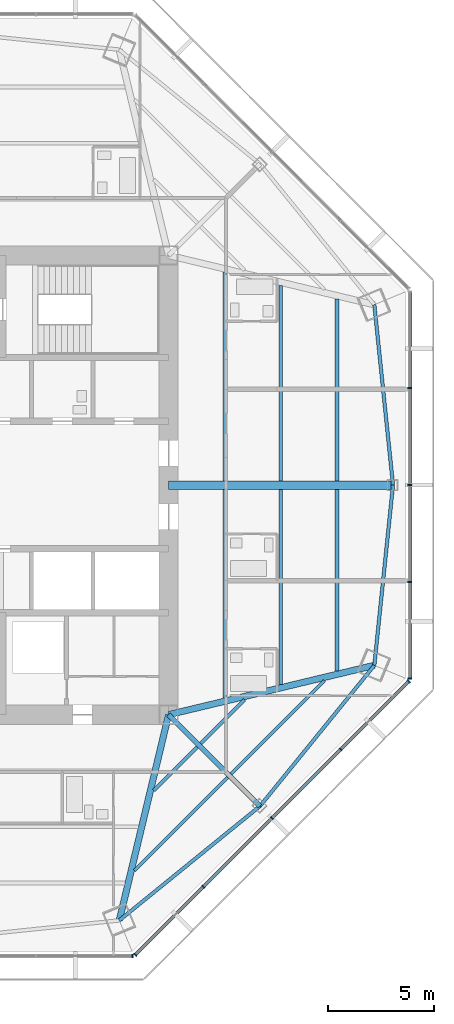
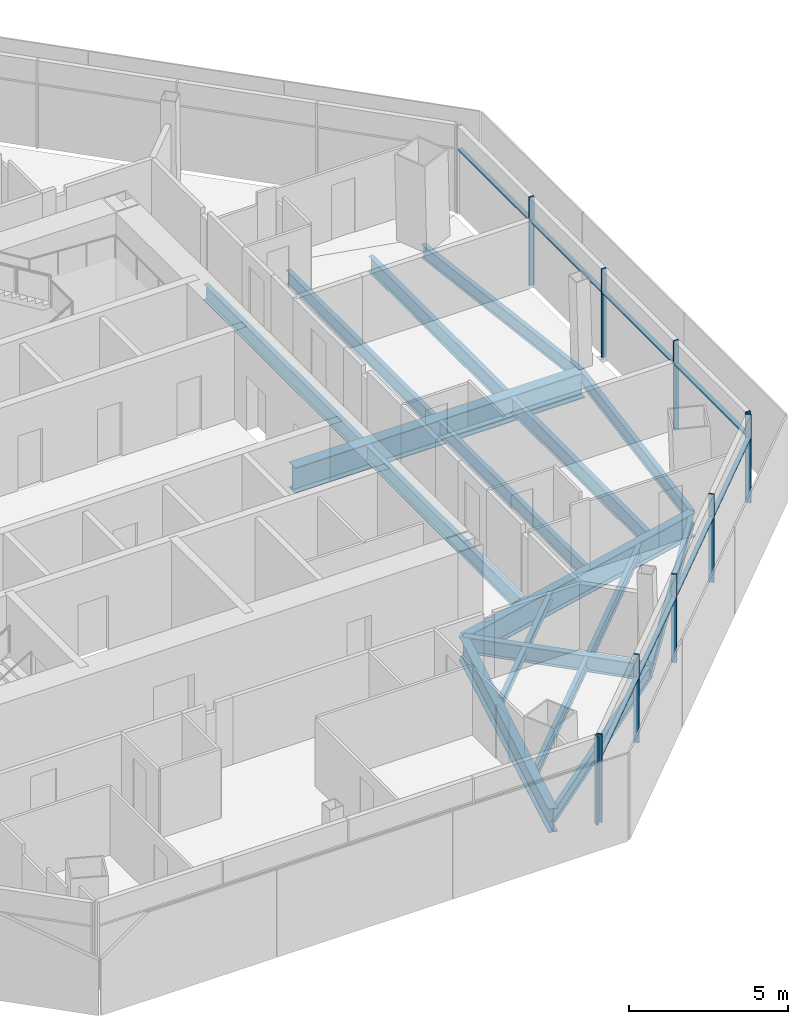
# One storey, part 4 of 15: 18 beams, 18 members, 3 elements without a shape of their own.
"""IFC4 building model written with IfcOpenShell, lengths in metres."""

from ifc_helpers import new_model, si_unit, direction, frame, origin, origin_2d, place, context, subcontext, project, spatial, rectangle, i_section, extrude, source, transform, mapped, material, material_profile, profile_set, type_object, type_shapes, element, aggregate, save


model = new_model("IFC4")

# Units and contexts
model_context = context("Model", 3, precision=1e-05, world=origin(), true_north=direction((0.0, 1.0)))
body_context = subcontext(model_context, "Body", "Model", "MODEL_VIEW")
ifc_project = project(units=[si_unit("LENGTHUNIT", "METRE"), si_unit("AREAUNIT", "SQUARE_METRE"), si_unit("VOLUMEUNIT", "CUBIC_METRE"), si_unit("PLANEANGLEUNIT", "RADIAN"), si_unit("MASSUNIT", "GRAM", prefix="KILO")], contexts=[model_context])

# Site, building, storey
site_placement = place(None, origin())
site = spatial("IfcSite", under=ifc_project, at=site_placement, CompositionType="ELEMENT")
building_placement = place(site_placement, origin())
building = spatial("IfcBuilding", under=site, at=building_placement, Name="Mashrafa Tower", CompositionType="ELEMENT")
storey_placement = place(building_placement, frame((0.0, 0.0, 207.39990234375)))
storey = spatial("IfcBuildingStorey", under=building, at=storey_placement, Name="L47", CompositionType="ELEMENT", Elevation=207.39990234375)

# Beams
ifc_material_1 = material(Name="Steel ASTM A992", Category="steel")
ifc_material_profile_1 = material_profile(ifc_material_1, i_section(OverallWidth=0.164794921875, OverallDepth=0.309814453125, WebThickness=0.005859375, FlangeThickness=0.009765625, FilletRadius=0.007568359375, at=origin_2d()), Name="W12X26")
ifc_profile_set_1 = profile_set([ifc_material_profile_1], Name="Steel ASTM A992")
beam_type_1 = type_object("IfcBeamType", Name="Beam W12X26", PredefinedType="BEAM", material=ifc_profile_set_1)
for number, where, z_axis, x_axis, name in (
    (1, (12.152099609375, -12.31396484375, -0.354736328125), (-0.707148897198, -0.707064662666, 0.0), (0.707064662666, -0.707148897198, 0.0), "Floor beam L47 029"),
    (2, (14.36328125, -10.1025390625, -0.354736328125), (-0.707064662666, -0.707148897198, 0.0), (0.707148897198, -0.707064662666, 0.0), "Floor beam L47 035"),
):
    element("IfcBeam", number, at=place(storey_placement, frame(where, z_axis=z_axis, x_axis=x_axis)), inside=storey, type_object=beam_type_1, Name=name, PredefinedType="BEAM", context=body_context, shape_type="SweptSolid", body=[
        extrude(i_section(OverallWidth=0.164794921875, OverallDepth=0.309814453125, WebThickness=0.005859375, FlangeThickness=0.009765625, FilletRadius=0.007568359375, at=origin_2d()), origin(), (0.0, 0.0, 1.0), 2.8984375),
    ])
ifc_material_2 = material(Name="Steel ASTM A992", Category="steel")
ifc_material_profile_2 = material_profile(ifc_material_2, i_section(OverallWidth=0.15234375, OverallDepth=0.449462890625, WebThickness=0.007568359375, FlangeThickness=0.0107421875, FilletRadius=0.01025390625, at=origin_2d()), Name="W18X35")
ifc_profile_set_2 = profile_set([ifc_material_profile_2], Name="Steel ASTM A992")
beam_type_2 = type_object("IfcBeamType", Name="Beam W18X35", PredefinedType="BEAM", material=ifc_profile_set_2)
for number, where, z_axis, x_axis, name in (
    (3, (13.585205078125, -13.7470703125, -0.4248046875), (-0.707106781187, -0.707106781187, 0.0), (0.707106781187, -0.707106781187, 0.0), "Floor beam L47 033"),
    (4, (18.133056640625, -9.19921875, -0.4248046875), (-0.707106781187, -0.707106781187, 0.0), (0.707106781187, -0.707106781187, 0.0), "Floor beam L47 038"),
):
    element("IfcBeam", number, at=place(storey_placement, frame(where, z_axis=z_axis, x_axis=x_axis)), inside=storey, type_object=beam_type_2, Name=name, PredefinedType="BEAM", context=body_context, shape_type="SweptSolid", body=[
        extrude(i_section(OverallWidth=0.15234375, OverallDepth=0.449462890625, WebThickness=0.007568359375, FlangeThickness=0.0107421875, FilletRadius=0.01025390625, at=origin_2d()), origin(), (0.0, 0.0, 1.0), 6.20263671875),
    ])
ifc_material_3 = material(Name="Steel ASTM A992", Category="steel")
ifc_material_profile_3 = material_profile(ifc_material_3, i_section(OverallWidth=0.1650390625, OverallDepth=0.52587890625, WebThickness=0.0087890625, FlangeThickness=0.011474609375, FilletRadius=0.0126953125, at=origin_2d()), Name="W21X44")
ifc_profile_set_3 = profile_set([ifc_material_profile_3], Name="Steel ASTM A992")
beam_type_3 = type_object("IfcBeamType", Name="Beam W21X44", PredefinedType="BEAM", material=ifc_profile_set_3)
for number, where, z_axis, x_axis, name in (
    (5, (16.07666015625, -0.20068359375, -0.462890625), (0.0, -1.0, 0.0), (1.0, 0.0, 0.0), "Floor beam L47 036"),
    (6, (16.07666015625, 9.378662109375, -0.462890625), (0.0, -1.0, 0.0), (1.0, 0.0, 0.0), "Floor beam L47 037"),
):
    element("IfcBeam", number, at=place(storey_placement, frame(where, z_axis=z_axis, x_axis=x_axis)), inside=storey, type_object=beam_type_3, Name=name, PredefinedType="BEAM", context=body_context, shape_type="SweptSolid", body=[
        extrude(i_section(OverallWidth=0.1650390625, OverallDepth=0.52587890625, WebThickness=0.0087890625, FlangeThickness=0.011474609375, FilletRadius=0.0126953125, at=origin_2d()), origin(), (0.0, 0.0, 1.0), 9.177978515625),
    ])
for number, where, z_axis, x_axis, name in (
    (7, (8.481201171875, -20.47509765625, -0.462890625), (0.7761761822, 0.630516085588, 0.0), (-0.630516085588, 0.7761761822, 0.0), "Spandrel beam L47 066"),
    (8, (15.09912109375, -15.09912109375, -0.462890625), (0.630516085588, 0.7761761822, 0.0), (-0.7761761822, 0.630516085588, 0.0), "Spandrel beam L47 068"),
):
    element("IfcBeam", number, at=place(storey_placement, frame(where, z_axis=z_axis, x_axis=x_axis)), inside=storey, type_object=beam_type_3, Name=name, PredefinedType="BEAM", context=body_context, shape_type="SweptSolid", body=[
        extrude(i_section(OverallWidth=0.1650390625, OverallDepth=0.52587890625, WebThickness=0.0087890625, FlangeThickness=0.011474609375, FilletRadius=0.0126953125, at=origin_2d()), origin(), (0.0, 0.0, 1.0), 8.5263671875),
    ])
for number, where, z_axis, x_axis, name in (
    (9, (20.47509765625, -8.481201171875, -0.462890625), (0.102992932153, 0.994682087869, 0.0), (-0.994682087869, 0.102992932153, 0.0), "Spandrel beam L47 070"),
    (10, (21.353271484375, 0.0, -0.462890625), (-0.102992932153, 0.994682087869, 0.0), (-0.994682087869, -0.102992932153, 0.0), "Spandrel beam L47 072"),
):
    element("IfcBeam", number, at=place(storey_placement, frame(where, z_axis=z_axis, x_axis=x_axis)), inside=storey, type_object=beam_type_3, Name=name, PredefinedType="BEAM", context=body_context, shape_type="SweptSolid", body=[
        extrude(i_section(OverallWidth=0.1650390625, OverallDepth=0.52587890625, WebThickness=0.0087890625, FlangeThickness=0.011474609375, FilletRadius=0.0126953125, at=origin_2d()), origin(), (0.0, 0.0, 1.0), 8.526611328125),
    ])
ifc_material_4 = material(Name="Steel ASTM A992", Category="steel")
ifc_material_profile_4 = material_profile(ifc_material_4, i_section(OverallWidth=0.177978515625, OverallDepth=0.599365234375, WebThickness=0.010009765625, FlangeThickness=0.012939453125, FilletRadius=0.012939453125, at=origin_2d()), Name="W24X55")
ifc_profile_set_4 = profile_set([ifc_material_profile_4], Name="Steel ASTM A992")
beam_type_4 = type_object("IfcBeamType", Name="Beam W24X55", PredefinedType="BEAM", material=ifc_profile_set_4)
for number, where, z_axis, x_axis, name in (
    (11, (13.438232421875, -0.20068359375, -0.49951171875), (0.0, -1.0, 0.0), (1.0, 0.0, 0.0), "Floor beam L47 031"),
    (12, (13.438232421875, 10.010986328125, -0.49951171875), (0.0, -1.0, 0.0), (1.0, 0.0, 0.0), "Floor beam L47 032"),
):
    element("IfcBeam", number, at=place(storey_placement, frame(where, z_axis=z_axis, x_axis=x_axis)), inside=storey, type_object=beam_type_4, Name=name, PredefinedType="BEAM", context=body_context, shape_type="SweptSolid", body=[
        extrude(i_section(OverallWidth=0.177978515625, OverallDepth=0.599365234375, WebThickness=0.010009765625, FlangeThickness=0.012939453125, FilletRadius=0.012939453125, at=origin_2d()), origin(), (0.0, 0.0, 1.0), 9.810302734375),
    ])
for number, where, z_axis, x_axis, name in (
    (13, (18.715087890625, -0.20068359375, -0.49951171875), (0.0, -1.0, 0.0), (1.0, 0.0, 0.0), "Floor beam L47 039"),
    (14, (18.715087890625, 8.746337890625, -0.49951171875), (0.0, -1.0, 0.0), (1.0, 0.0, 0.0), "Floor beam L47 040"),
):
    element("IfcBeam", number, at=place(storey_placement, frame(where, z_axis=z_axis, x_axis=x_axis)), inside=storey, type_object=beam_type_4, Name=name, PredefinedType="BEAM", context=body_context, shape_type="SweptSolid", body=[
        extrude(i_section(OverallWidth=0.177978515625, OverallDepth=0.599365234375, WebThickness=0.010009765625, FlangeThickness=0.012939453125, FilletRadius=0.012939453125, at=origin_2d()), origin(), (0.0, 0.0, 1.0), 8.545654296875),
    ])
ifc_material_5 = material(Name="Steel ASTM A992", Category="steel")
ifc_material_profile_5 = material_profile(ifc_material_5, i_section(OverallWidth=0.22900390625, OverallDepth=0.612060546875, WebThickness=0.011962890625, FlangeThickness=0.01953125, FilletRadius=0.0126953125, at=origin_2d()), Name="W24X84")
ifc_profile_set_5 = profile_set([ifc_material_profile_5], Name="Steel ASTM A992")
beam_type_5 = type_object("IfcBeamType", Name="Beam W24X84", PredefinedType="BEAM", material=ifc_profile_set_5)
beam_1_placement = place(storey_placement, frame((10.800048828125, -10.800048828125, -0.505859375), z_axis=(0.707106781187, -0.707106781187, 0.0), x_axis=(0.707106781187, 0.707106781187, 0.0)))
element("IfcBeam", 15, at=beam_1_placement, inside=storey, type_object=beam_type_5, Name="Radial girder L47 051", PredefinedType="BEAM", context=body_context, shape_type="SweptSolid", body=[
    extrude(i_section(OverallWidth=0.22900390625, OverallDepth=0.612060546875, WebThickness=0.011962890625, FlangeThickness=0.01953125, FilletRadius=0.0126953125, at=origin_2d()), origin(), (0.0, 0.0, 1.0), 6.079833984375),
])
ifc_material_6 = material(Name="Steel ASTM A992", Category="steel")
ifc_material_profile_6 = material_profile(ifc_material_6, i_section(OverallWidth=0.3046875, OverallDepth=0.911865234375, WebThickness=0.015869140625, FlangeThickness=0.02392578125, FilletRadius=0.01904296875, at=origin_2d()), Name="W36X150")
ifc_profile_set_6 = profile_set([ifc_material_profile_6], Name="Steel ASTM A992")
beam_type_6 = type_object("IfcBeamType", Name="Beam W36X150", PredefinedType="BEAM", material=ifc_profile_set_6)
for number, where, z_axis, x_axis, name in (
    (16, (10.800048828125, -10.800048828125, -0.65576171875), (-0.233072235426, -0.972459424898, 0.0), (0.972459424898, -0.233072235426, 0.0), "Radial girder L47 050"),
    (17, (10.800048828125, -10.800048828125, -0.65576171875), (0.972459424898, 0.233072235426, 0.0), (-0.233072235426, 0.972459424898, 0.0), "Radial girder L47 052"),
):
    element("IfcBeam", number, at=place(storey_placement, frame(where, z_axis=z_axis, x_axis=x_axis)), inside=storey, type_object=beam_type_6, Name=name, PredefinedType="BEAM", context=body_context, shape_type="SweptSolid", body=[
        extrude(i_section(OverallWidth=0.3046875, OverallDepth=0.911865234375, WebThickness=0.015869140625, FlangeThickness=0.02392578125, FilletRadius=0.01904296875, at=origin_2d()), origin(), (0.0, 0.0, 1.0), 9.948974609375),
    ])
ifc_material_7 = material(Name="Steel ASTM A992", Category="steel")
ifc_material_profile_7 = material_profile(ifc_material_7, i_section(OverallWidth=0.4013671875, OverallDepth=0.98291015625, WebThickness=0.0166015625, FlangeThickness=0.027099609375, FilletRadius=0.0126953125, at=origin_2d()), Name="W40X199")
ifc_profile_set_7 = profile_set([ifc_material_profile_7], Name="Steel ASTM A992")
beam_type_7 = type_object("IfcBeamType", Name="Beam W40X199", PredefinedType="BEAM", material=ifc_profile_set_7)
beam_2_placement = place(storey_placement, frame((10.800048828125, 0.0, -0.69140625), z_axis=(1.0, 0.0, 0.0), x_axis=(0.0, 1.0, 0.0)))
element("IfcBeam", 18, at=beam_2_placement, inside=storey, type_object=beam_type_7, Name="Radial girder L47 053", PredefinedType="BEAM", context=body_context, shape_type="SweptSolid", body=[
    extrude(i_section(OverallWidth=0.4013671875, OverallDepth=0.98291015625, WebThickness=0.0166015625, FlangeThickness=0.027099609375, FilletRadius=0.0126953125, at=origin_2d()), origin(), (0.0, 0.0, 1.0), 10.55322265625),
])

# Curtain wall, members
ifc_material_8 = material(Name="Unitised aluminium curtain wall", Category="aluminium")
curtain_wall_type = type_object("IfcCurtainWallType", Name="Apartment curtain wall, zone 3 CW-C 180 deep", PredefinedType="NOTDEFINED", material=ifc_material_8)
curtain_wall_1_placement = place(storey_placement, origin())
curtain_wall_1 = element("IfcCurtainWall", 19, at=curtain_wall_1_placement, inside=storey, type_object=curtain_wall_type, Name="Apartment curtain wall, zone 3 L47 east", PredefinedType="NOTDEFINED")
ifc_material_9 = material(Name="Extruded aluminium mullion", Category="aluminium")
ifc_material_profile_8 = material_profile(ifc_material_9, rectangle(XDim=0.179931640625, YDim=0.06005859375, at=origin_2d()), Name="Mullion 60x180")
ifc_profile_set_8 = profile_set([ifc_material_profile_8], Name="Extruded aluminium mullion")
member_type_1 = type_object("IfcMemberType", Name="Mullion CW-C 60 x 180", PredefinedType="MULLION", material=ifc_profile_set_8)
shared_shape_1 = source(origin(), body_context, "Body", "SweptSolid", [
    extrude(rectangle(XDim=0.179931640625, YDim=0.06005859375, at=origin_2d()), origin(), (0.0, 0.0, 1.0), 3.400146484375),
])
type_shapes(member_type_1, [shared_shape_1])
member_1_placement = place(storey_placement, frame((22.147705078125, -9.0966796875, 0.0), z_axis=(0.0, 0.0, 1.0), x_axis=(-1.0, 0.0, 0.0)))
member_1 = element("IfcMember", 20, at=member_1_placement, type_object=member_type_1, Name="CW-C mullion 1", PredefinedType="MULLION", context=body_context, shape_type="MappedRepresentation", body=[
    mapped(shared_shape_1, transform((0.0, 0.0, 0.0))),
])
member_2_placement = place(storey_placement, frame((22.147705078125, -4.563232421875, 0.0), z_axis=(0.0, 0.0, 1.0), x_axis=(-1.0, 0.0, 0.0)))
member_2 = element("IfcMember", 21, at=member_2_placement, type_object=member_type_1, Name="CW-C mullion 2", PredefinedType="MULLION", context=body_context, shape_type="MappedRepresentation", body=[
    mapped(shared_shape_1, transform((0.0, 0.0, 0.0))),
])
member_3_placement = place(storey_placement, frame((22.147705078125, 0.0, 0.0), z_axis=(0.0, 0.0, 1.0), x_axis=(-1.0, 0.0, 0.0)))
member_3 = element("IfcMember", 22, at=member_3_placement, type_object=member_type_1, Name="CW-C mullion 3", PredefinedType="MULLION", context=body_context, shape_type="MappedRepresentation", body=[
    mapped(shared_shape_1, transform((0.0, 0.0, 0.0))),
])
member_4_placement = place(storey_placement, frame((22.147705078125, 4.563232421875, 0.0), z_axis=(0.0, 0.0, 1.0), x_axis=(-1.0, 0.0, 0.0)))
member_4 = element("IfcMember", 23, at=member_4_placement, type_object=member_type_1, Name="CW-C mullion 4", PredefinedType="MULLION", context=body_context, shape_type="MappedRepresentation", body=[
    mapped(shared_shape_1, transform((0.0, 0.0, 0.0))),
])

# Curtain wall, member
curtain_wall_2_placement = place(storey_placement, origin())
curtain_wall_2 = element("IfcCurtainWall", 24, at=curtain_wall_2_placement, inside=storey, type_object=curtain_wall_type, Name="Apartment curtain wall, zone 3 L47 south", PredefinedType="NOTDEFINED")
member_5_placement = place(storey_placement, frame((9.0966796875, -22.147705078125, 0.0), z_axis=(0.0, 0.0, 1.0), x_axis=(0.0, 1.0, 0.0)))
member_5 = element("IfcMember", 25, at=member_5_placement, type_object=member_type_1, Name="CW-C mullion 5", PredefinedType="MULLION", context=body_context, shape_type="MappedRepresentation", body=[
    mapped(shared_shape_1, transform((0.0, 0.0, 0.0))),
])
aggregate(curtain_wall_2, [member_5])

# Curtain wall, members
curtain_wall_3_placement = place(storey_placement, origin())
curtain_wall_3 = element("IfcCurtainWall", 26, at=curtain_wall_3_placement, inside=storey, type_object=curtain_wall_type, Name="Apartment curtain wall, zone 3 L47 south-east", PredefinedType="NOTDEFINED")
member_6_placement = place(storey_placement, frame((9.228515625, -22.093017578125, 0.0), z_axis=(0.0, 0.0, 1.0), x_axis=(-0.707106781187, 0.707106781187, 0.0)))
member_6 = element("IfcMember", 27, at=member_6_placement, type_object=member_type_1, Name="CW-C mullion 1", PredefinedType="MULLION", context=body_context, shape_type="MappedRepresentation", body=[
    mapped(shared_shape_1, transform((0.0, 0.0, 0.0))),
])
member_7_placement = place(storey_placement, frame((12.43408203125, -18.887451171875, 0.0), z_axis=(0.0, 0.0, 1.0), x_axis=(-0.707106781187, 0.707106781187, 0.0)))
member_7 = element("IfcMember", 28, at=member_7_placement, type_object=member_type_1, Name="CW-C mullion 2", PredefinedType="MULLION", context=body_context, shape_type="MappedRepresentation", body=[
    mapped(shared_shape_1, transform((0.0, 0.0, 0.0))),
])
member_8_placement = place(storey_placement, frame((15.66064453125, -15.66064453125, 0.0), z_axis=(0.0, 0.0, 1.0), x_axis=(-0.707106781187, 0.707106781187, 0.0)))
member_8 = element("IfcMember", 29, at=member_8_placement, type_object=member_type_1, Name="CW-C mullion 3", PredefinedType="MULLION", context=body_context, shape_type="MappedRepresentation", body=[
    mapped(shared_shape_1, transform((0.0, 0.0, 0.0))),
])
member_9_placement = place(storey_placement, frame((18.887451171875, -12.43408203125, 0.0), z_axis=(0.0, 0.0, 1.0), x_axis=(-0.707106781187, 0.707106781187, 0.0)))
member_9 = element("IfcMember", 30, at=member_9_placement, type_object=member_type_1, Name="CW-C mullion 4", PredefinedType="MULLION", context=body_context, shape_type="MappedRepresentation", body=[
    mapped(shared_shape_1, transform((0.0, 0.0, 0.0))),
])
member_10_placement = place(storey_placement, frame((22.093017578125, -9.228515625, 0.0), z_axis=(0.0, 0.0, 1.0), x_axis=(-0.707106781187, 0.707106781187, 0.0)))
member_10 = element("IfcMember", 31, at=member_10_placement, type_object=member_type_1, Name="CW-C mullion 5", PredefinedType="MULLION", context=body_context, shape_type="MappedRepresentation", body=[
    mapped(shared_shape_1, transform((0.0, 0.0, 0.0))),
])

# Member
ifc_material_10 = material(Name="Extruded aluminium transom", Category="aluminium")
ifc_material_profile_9 = material_profile(ifc_material_10, rectangle(XDim=0.14404296875, YDim=0.074951171875, at=origin_2d()), Name="Transom 75x144")
ifc_profile_set_9 = profile_set([ifc_material_profile_9], Name="Extruded aluminium transom")
member_type_2 = type_object("IfcMemberType", Name="Transom CW-C 75 x 144", PredefinedType="MULLION", material=ifc_profile_set_9)
shared_shape_2 = source(origin(), body_context, "Body", "SweptSolid", [
    extrude(rectangle(XDim=0.14404296875, YDim=0.074951171875, at=origin_2d()), origin(), (0.0, 0.0, 1.0), 4.473388671875),
])
member_11_placement = place(storey_placement, frame((22.147705078125, -9.066650390625, 2.5), z_axis=(0.0, 1.0, 0.0), x_axis=(-1.0, 0.0, 0.0)))
member_11 = element("IfcMember", 32, at=member_11_placement, type_object=member_type_2, Name="CW-C transom 1", PredefinedType="MULLION", context=body_context, shape_type="MappedRepresentation", body=[
    mapped(shared_shape_2, transform((0.0, 0.0, 0.0))),
])

member_12_placement = place(storey_placement, frame((22.147705078125, 4.59326171875, 2.5), z_axis=(0.0, 1.0, 0.0), x_axis=(-1.0, 0.0, 0.0)))
member_12 = element("IfcMember", 33, at=member_12_placement, type_object=member_type_2, Name="CW-C transom 4", PredefinedType="MULLION", context=body_context, shape_type="MappedRepresentation", body=[
    mapped(shared_shape_2, transform((0.0, 0.0, 0.0))),
])

member_13_placement = place(storey_placement, frame((9.249755859375, -22.07177734375, 2.5), z_axis=(0.707106781187, 0.707106781187, 0.0), x_axis=(-0.707106781187, 0.707106781187, 0.0)))
member_13 = element("IfcMember", 34, at=member_13_placement, type_object=member_type_2, Name="CW-C transom 1", PredefinedType="MULLION", context=body_context, shape_type="MappedRepresentation", body=[
    mapped(shared_shape_2, transform((0.0, 0.0, 0.0))),
])

member_14_placement = place(storey_placement, frame((18.90869140625, -12.412841796875, 2.5), z_axis=(0.707106781187, 0.707106781187, 0.0), x_axis=(-0.707106781187, 0.707106781187, 0.0)))
member_14 = element("IfcMember", 35, at=member_14_placement, type_object=member_type_2, Name="CW-C transom 4", PredefinedType="MULLION", context=body_context, shape_type="MappedRepresentation", body=[
    mapped(shared_shape_2, transform((0.0, 0.0, 0.0))),
])

shared_shape_3 = source(origin(), body_context, "Body", "SweptSolid", [
    extrude(rectangle(XDim=0.14404296875, YDim=0.074951171875, at=origin_2d()), origin(), (0.0, 0.0, 1.0), 4.503173828125),
])
member_15_placement = place(storey_placement, frame((22.147705078125, -4.533203125, 2.5), z_axis=(0.0, 1.0, 0.0), x_axis=(-1.0, 0.0, 0.0)))
member_15 = element("IfcMember", 36, at=member_15_placement, type_object=member_type_2, Name="CW-C transom 2", PredefinedType="MULLION", context=body_context, shape_type="MappedRepresentation", body=[
    mapped(shared_shape_3, transform((0.0, 0.0, 0.0))),
])

member_16_placement = place(storey_placement, frame((22.147705078125, 0.030029296875, 2.5), z_axis=(0.0, 1.0, 0.0), x_axis=(-1.0, 0.0, 0.0)))
member_16 = element("IfcMember", 37, at=member_16_placement, type_object=member_type_2, Name="CW-C transom 3", PredefinedType="MULLION", context=body_context, shape_type="MappedRepresentation", body=[
    mapped(shared_shape_3, transform((0.0, 0.0, 0.0))),
])

aggregate(curtain_wall_1, [member_1, member_2, member_3, member_4, member_11, member_15, member_16, member_12])

shared_shape_4 = source(origin(), body_context, "Body", "SweptSolid", [
    extrude(rectangle(XDim=0.14404296875, YDim=0.074951171875, at=origin_2d()), origin(), (0.0, 0.0, 1.0), 4.50341796875),
])
type_shapes(member_type_2, [shared_shape_2, shared_shape_3, shared_shape_4])
member_17_placement = place(storey_placement, frame((12.455322265625, -18.8662109375, 2.5), z_axis=(0.707106781187, 0.707106781187, 0.0), x_axis=(-0.707106781187, 0.707106781187, 0.0)))
member_17 = element("IfcMember", 38, at=member_17_placement, type_object=member_type_2, Name="CW-C transom 2", PredefinedType="MULLION", context=body_context, shape_type="MappedRepresentation", body=[
    mapped(shared_shape_4, transform((0.0, 0.0, 0.0))),
])

member_18_placement = place(storey_placement, frame((15.681884765625, -15.6396484375, 2.5), z_axis=(0.707106781187, 0.707106781187, 0.0), x_axis=(-0.707106781187, 0.707106781187, 0.0)))
member_18 = element("IfcMember", 39, at=member_18_placement, type_object=member_type_2, Name="CW-C transom 3", PredefinedType="MULLION", context=body_context, shape_type="MappedRepresentation", body=[
    mapped(shared_shape_4, transform((0.0, 0.0, 0.0))),
])

aggregate(curtain_wall_3, [member_6, member_7, member_8, member_9, member_10, member_13, member_17, member_18, member_14])

save(model, "model.ifc")
